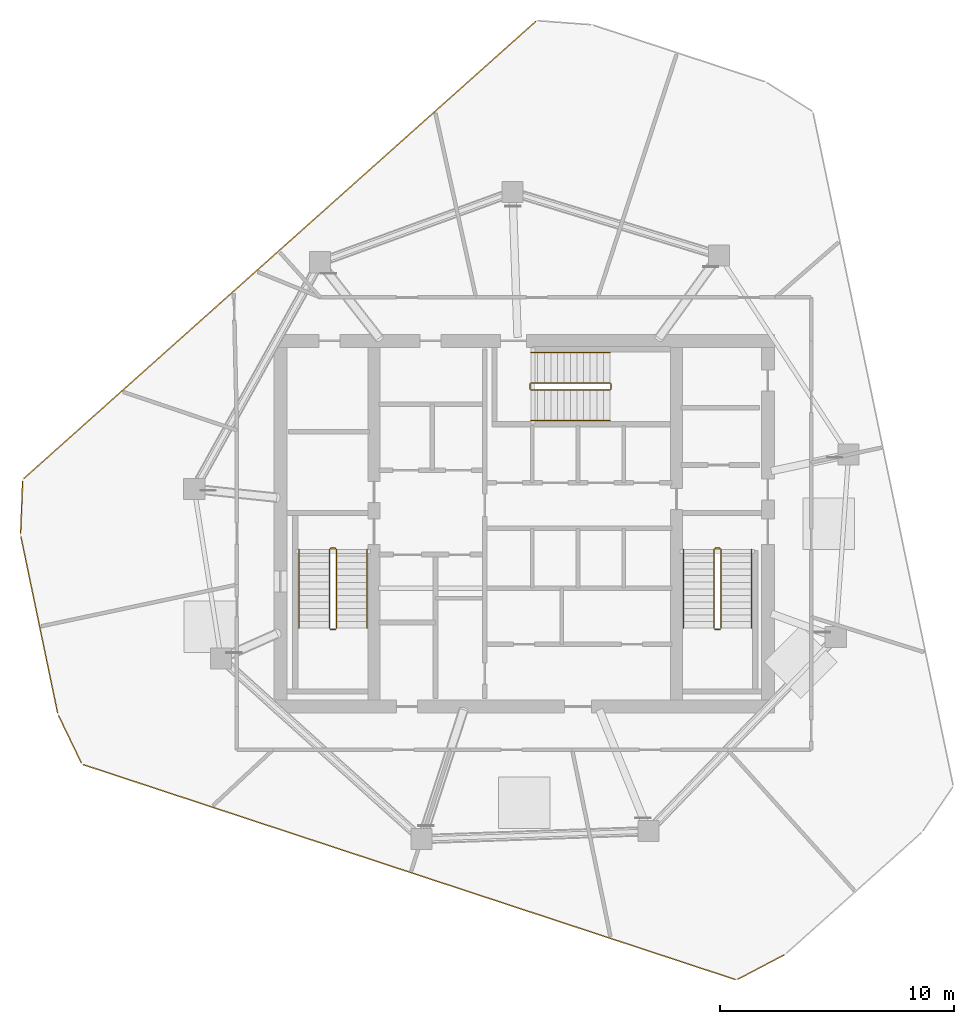
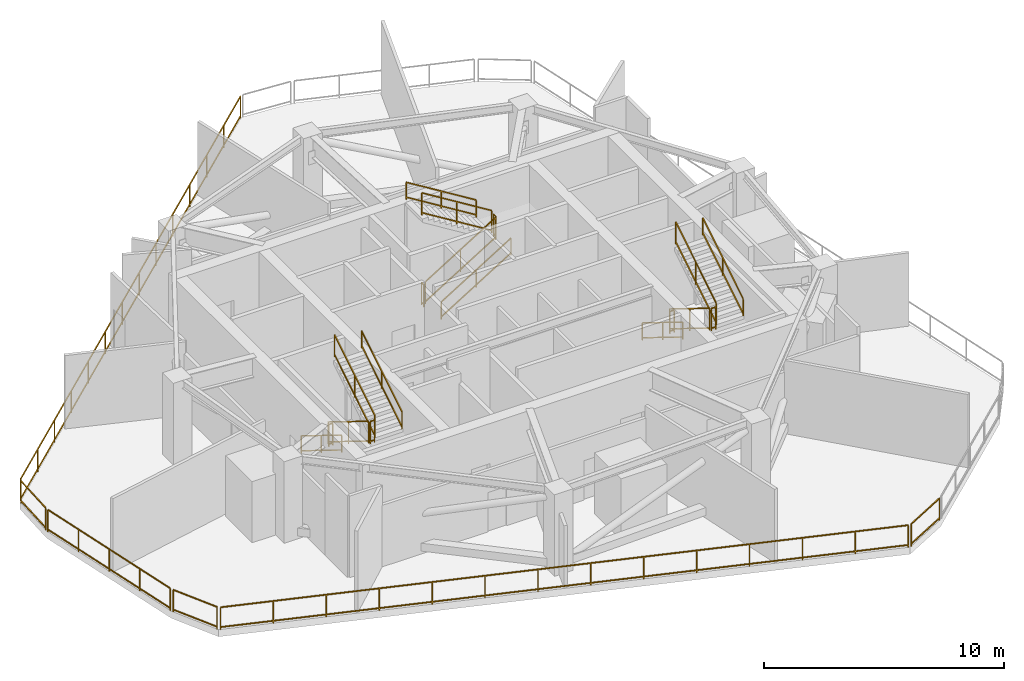
# One storey, part 5 of 6: 24 railings.
"""IFC4 building model written with IfcOpenShell, lengths in metres."""

from ifc_helpers import new_model, si_unit, direction, frame, origin, origin_2d, place, context, subcontext, project, spatial, rectangle, extrude, material, type_object, element, save


model = new_model("IFC4")

# Units and contexts
model_context = context("Model", 3, precision=1e-05, world=origin(), true_north=direction((0.0, 1.0)))
body_context = subcontext(model_context, "Body", "Model", "MODEL_VIEW")
ifc_project = project(units=[si_unit("LENGTHUNIT", "METRE"), si_unit("AREAUNIT", "SQUARE_METRE"), si_unit("VOLUMEUNIT", "CUBIC_METRE"), si_unit("PLANEANGLEUNIT", "RADIAN"), si_unit("MASSUNIT", "GRAM", prefix="KILO")], contexts=[model_context])

# Site, building, storey
site_placement = place(None, origin())
site = spatial("IfcSite", under=ifc_project, at=site_placement, CompositionType="ELEMENT")
building_placement = place(site_placement, origin())
building = spatial("IfcBuilding", under=site, at=building_placement, Name="Qarnah Convention Tower", CompositionType="ELEMENT")
storey_placement = place(building_placement, frame((0.0, 0.0, 223.800048828125)))
storey = spatial("IfcBuildingStorey", under=building, at=storey_placement, Name="L60", CompositionType="ELEMENT", Elevation=223.800048828125)

# Railings
ifc_material_1 = material(Name="Black anodised aluminium", Category="aluminium")
railing_type_1 = type_object("IfcRailingType", Name="RL-EXT-GUARD-1150", PredefinedType="GUARDRAIL", material=ifc_material_1)
railing_1_placement = place(storey_placement, frame((48.291015625, 7.998046875, 0.0)))
element("IfcRailing", 1, at=railing_1_placement, inside=storey, type_object=railing_type_1, Name="L60 open refuge and plant deck perimeter guard 06", PredefinedType="GUARDRAIL", context=body_context, shape_type="SweptSolid", body=[
    extrude(rectangle(XDim=0.048095703125, YDim=0.048095703125, at=origin_2d()), frame((0.0, 0.0, 1.1259765625), z_axis=(-0.884819983387, -0.46593303918, 0.0), x_axis=(0.46593303918, -0.884819983387, 0.0)), (0.0, 0.0, 1.0), 2.210693359375),
    extrude(rectangle(XDim=0.048095703125, YDim=0.048095703125, at=origin_2d()), frame((0.0, 0.0, 0.1201171875), z_axis=(-0.884819983387, -0.46593303918, 0.0), x_axis=(0.46593303918, -0.884819983387, 0.0)), (0.0, 0.0, 1.0), 2.210693359375),
    extrude(rectangle(XDim=0.0419921875, YDim=0.0419921875, at=origin_2d()), origin(), (0.0, 0.0, 1.0), 1.101806640625),
    extrude(rectangle(XDim=0.0419921875, YDim=0.0419921875, at=origin_2d()), frame((-1.9560546875, -1.030029296875, 0.0)), (0.0, 0.0, 1.0), 1.101806640625),
])
railing_2_placement = place(storey_placement, frame((46.18798828125, 6.9560546875, 0.0)))
element("IfcRailing", 2, at=railing_2_placement, inside=storey, type_object=railing_type_1, Name="L60 open refuge and plant deck perimeter guard 07", PredefinedType="GUARDRAIL", context=body_context, shape_type="SweptSolid", body=[
    extrude(rectangle(XDim=0.048095703125, YDim=0.048095703125, at=origin_2d()), frame((0.0, 0.0, 1.1259765625), z_axis=(-0.949759692989, 0.312980072167, 0.0), x_axis=(-0.312980072167, -0.949759692989, 0.0)), (0.0, 0.0, 1.0), 29.244140625),
    extrude(rectangle(XDim=0.048095703125, YDim=0.048095703125, at=origin_2d()), frame((0.0, 0.0, 0.1201171875), z_axis=(-0.949759692989, 0.312980072167, 0.0), x_axis=(-0.312980072167, -0.949759692989, 0.0)), (0.0, 0.0, 1.0), 29.244140625),
    extrude(rectangle(XDim=0.0419921875, YDim=0.0419921875, at=origin_2d()), origin(), (0.0, 0.0, 1.0), 1.101806640625),
    extrude(rectangle(XDim=0.0419921875, YDim=0.0419921875, at=origin_2d()), frame((-2.136474609375, 0.7041015625, 0.0)), (0.0, 0.0, 1.0), 1.101806640625),
    extrude(rectangle(XDim=0.0419921875, YDim=0.0419921875, at=origin_2d()), frame((-4.27294921875, 1.408203125, 0.0)), (0.0, 0.0, 1.0), 1.101806640625),
    extrude(rectangle(XDim=0.0419921875, YDim=0.0419921875, at=origin_2d()), frame((-6.40966796875, 2.1123046875, 0.0)), (0.0, 0.0, 1.0), 1.101806640625),
    extrude(rectangle(XDim=0.0419921875, YDim=0.0419921875, at=origin_2d()), frame((-8.546142578125, 2.816162109375, 0.0)), (0.0, 0.0, 1.0), 1.101806640625),
    extrude(rectangle(XDim=0.0419921875, YDim=0.0419921875, at=origin_2d()), frame((-10.6826171875, 3.520263671875, 0.0)), (0.0, 0.0, 1.0), 1.101806640625),
    extrude(rectangle(XDim=0.0419921875, YDim=0.0419921875, at=origin_2d()), frame((-12.819091796875, 4.224365234375, 0.0)), (0.0, 0.0, 1.0), 1.101806640625),
    extrude(rectangle(XDim=0.0419921875, YDim=0.0419921875, at=origin_2d()), frame((-14.955810546875, 4.928466796875, 0.0)), (0.0, 0.0, 1.0), 1.101806640625),
    extrude(rectangle(XDim=0.0419921875, YDim=0.0419921875, at=origin_2d()), frame((-17.09228515625, 5.632568359375, 0.0)), (0.0, 0.0, 1.0), 1.101806640625),
    extrude(rectangle(XDim=0.0419921875, YDim=0.0419921875, at=origin_2d()), frame((-19.228759765625, 6.336669921875, 0.0)), (0.0, 0.0, 1.0), 1.101806640625),
    extrude(rectangle(XDim=0.0419921875, YDim=0.0419921875, at=origin_2d()), frame((-21.365234375, 7.04052734375, 0.0)), (0.0, 0.0, 1.0), 1.101806640625),
    extrude(rectangle(XDim=0.0419921875, YDim=0.0419921875, at=origin_2d()), frame((-23.501953125, 7.74462890625, 0.0)), (0.0, 0.0, 1.0), 1.101806640625),
    extrude(rectangle(XDim=0.0419921875, YDim=0.0419921875, at=origin_2d()), frame((-25.638427734375, 8.44873046875, 0.0)), (0.0, 0.0, 1.0), 1.101806640625),
    extrude(rectangle(XDim=0.0419921875, YDim=0.0419921875, at=origin_2d()), frame((-27.77490234375, 9.15283203125, 0.0)), (0.0, 0.0, 1.0), 1.101806640625),
])
railing_3_placement = place(storey_placement, frame((18.302001953125, 16.2060546875, 0.0)))
element("IfcRailing", 3, at=railing_3_placement, inside=storey, type_object=railing_type_1, Name="L60 open refuge and plant deck perimeter guard 08", PredefinedType="GUARDRAIL", context=body_context, shape_type="SweptSolid", body=[
    extrude(rectangle(XDim=0.048095703125, YDim=0.048095703125, at=origin_2d()), frame((0.0, 0.0, 1.1259765625), z_axis=(-0.434495906954, 0.900673807124, 0.0), x_axis=(-0.900673807124, -0.434495906954, 0.0)), (0.0, 0.0, 1.0), 2.211669921875),
    extrude(rectangle(XDim=0.048095703125, YDim=0.048095703125, at=origin_2d()), frame((0.0, 0.0, 0.1201171875), z_axis=(-0.434495906954, 0.900673807124, 0.0), x_axis=(-0.900673807124, -0.434495906954, 0.0)), (0.0, 0.0, 1.0), 2.211669921875),
    extrude(rectangle(XDim=0.0419921875, YDim=0.0419921875, at=origin_2d()), origin(), (0.0, 0.0, 1.0), 1.101806640625),
    extrude(rectangle(XDim=0.0419921875, YDim=0.0419921875, at=origin_2d()), frame((-0.9609375, 1.991943359375, 0.0)), (0.0, 0.0, 1.0), 1.101806640625),
])
railing_4_placement = place(storey_placement, frame((17.2900390625, 18.347900390625, 0.0)))
element("IfcRailing", 4, at=railing_4_placement, inside=storey, type_object=railing_type_1, Name="L60 open refuge and plant deck perimeter guard 09", PredefinedType="GUARDRAIL", context=body_context, shape_type="SweptSolid", body=[
    extrude(rectangle(XDim=0.048095703125, YDim=0.048095703125, at=origin_2d()), frame((0.0, 0.0, 1.1259765625), z_axis=(-0.203787312729, 0.979015184341, 0.0), x_axis=(-0.979015184341, -0.203787312729, 0.0)), (0.0, 0.0, 1.0), 7.650634765625),
    extrude(rectangle(XDim=0.048095703125, YDim=0.048095703125, at=origin_2d()), frame((0.0, 0.0, 0.1201171875), z_axis=(-0.203787312729, 0.979015184341, 0.0), x_axis=(-0.979015184341, -0.203787312729, 0.0)), (0.0, 0.0, 1.0), 7.650634765625),
    extrude(rectangle(XDim=0.0419921875, YDim=0.0419921875, at=origin_2d()), origin(), (0.0, 0.0, 1.0), 1.101806640625),
    extrude(rectangle(XDim=0.0419921875, YDim=0.0419921875, at=origin_2d()), frame((-0.3896484375, 1.87255859375, 0.0)), (0.0, 0.0, 1.0), 1.101806640625),
    extrude(rectangle(XDim=0.0419921875, YDim=0.0419921875, at=origin_2d()), frame((-0.779541015625, 3.7451171875, 0.0)), (0.0, 0.0, 1.0), 1.101806640625),
    extrude(rectangle(XDim=0.0419921875, YDim=0.0419921875, at=origin_2d()), frame((-1.16943359375, 5.617431640625, 0.0)), (0.0, 0.0, 1.0), 1.101806640625),
    extrude(rectangle(XDim=0.0419921875, YDim=0.0419921875, at=origin_2d()), frame((-1.55908203125, 7.489990234375, 0.0)), (0.0, 0.0, 1.0), 1.101806640625),
])
railing_5_placement = place(storey_placement, frame((15.718017578125, 25.99609375, 0.0)))
element("IfcRailing", 5, at=railing_5_placement, inside=storey, type_object=railing_type_1, Name="L60 open refuge and plant deck perimeter guard 10", PredefinedType="GUARDRAIL", context=body_context, shape_type="SweptSolid", body=[
    extrude(rectangle(XDim=0.048095703125, YDim=0.048095703125, at=origin_2d()), frame((0.0, 0.0, 1.1259765625), z_axis=(0.038874218323, 0.999244111891, 0.0), x_axis=(-0.999244111891, 0.038874218323, 0.0)), (0.0, 0.0, 1.0), 2.210693359375),
    extrude(rectangle(XDim=0.048095703125, YDim=0.048095703125, at=origin_2d()), frame((0.0, 0.0, 0.1201171875), z_axis=(0.038874218323, 0.999244111891, 0.0), x_axis=(-0.999244111891, 0.038874218323, 0.0)), (0.0, 0.0, 1.0), 2.210693359375),
    extrude(rectangle(XDim=0.0419921875, YDim=0.0419921875, at=origin_2d()), origin(), (0.0, 0.0, 1.0), 1.101806640625),
    extrude(rectangle(XDim=0.0419921875, YDim=0.0419921875, at=origin_2d()), frame((0.0859375, 2.208984375, 0.0)), (0.0, 0.0, 1.0), 1.101806640625),
])
railing_6_placement = place(storey_placement, frame((15.866943359375, 28.337890625, 0.0)))
element("IfcRailing", 6, at=railing_6_placement, inside=storey, type_object=railing_type_1, Name="L60 open refuge and plant deck perimeter guard 11", PredefinedType="GUARDRAIL", context=body_context, shape_type="SweptSolid", body=[
    extrude(rectangle(XDim=0.048095703125, YDim=0.048095703125, at=origin_2d()), frame((0.0, 0.0, 1.1259765625), z_axis=(0.74591603518, 0.666039990137, 0.0), x_axis=(-0.666039990137, 0.74591603518, 0.0)), (0.0, 0.0, 1.0), 29.24462890625),
    extrude(rectangle(XDim=0.048095703125, YDim=0.048095703125, at=origin_2d()), frame((0.0, 0.0, 0.1201171875), z_axis=(0.74591603518, 0.666039990137, 0.0), x_axis=(-0.666039990137, 0.74591603518, 0.0)), (0.0, 0.0, 1.0), 29.24462890625),
    extrude(rectangle(XDim=0.0419921875, YDim=0.0419921875, at=origin_2d()), origin(), (0.0, 0.0, 1.0), 1.101806640625),
    extrude(rectangle(XDim=0.0419921875, YDim=0.0419921875, at=origin_2d()), frame((1.677978515625, 1.498291015625, 0.0)), (0.0, 0.0, 1.0), 1.101806640625),
    extrude(rectangle(XDim=0.0419921875, YDim=0.0419921875, at=origin_2d()), frame((3.35595703125, 2.99658203125, 0.0)), (0.0, 0.0, 1.0), 1.101806640625),
    extrude(rectangle(XDim=0.0419921875, YDim=0.0419921875, at=origin_2d()), frame((5.033935546875, 4.494873046875, 0.0)), (0.0, 0.0, 1.0), 1.101806640625),
    extrude(rectangle(XDim=0.0419921875, YDim=0.0419921875, at=origin_2d()), frame((6.7119140625, 5.9931640625, 0.0)), (0.0, 0.0, 1.0), 1.101806640625),
    extrude(rectangle(XDim=0.0419921875, YDim=0.0419921875, at=origin_2d()), frame((8.389892578125, 7.491455078125, 0.0)), (0.0, 0.0, 1.0), 1.101806640625),
    extrude(rectangle(XDim=0.0419921875, YDim=0.0419921875, at=origin_2d()), frame((10.06787109375, 8.98974609375, 0.0)), (0.0, 0.0, 1.0), 1.101806640625),
    extrude(rectangle(XDim=0.0419921875, YDim=0.0419921875, at=origin_2d()), frame((11.74609375, 10.48828125, 0.0)), (0.0, 0.0, 1.0), 1.101806640625),
    extrude(rectangle(XDim=0.0419921875, YDim=0.0419921875, at=origin_2d()), frame((13.424072265625, 11.986572265625, 0.0)), (0.0, 0.0, 1.0), 1.101806640625),
    extrude(rectangle(XDim=0.0419921875, YDim=0.0419921875, at=origin_2d()), frame((15.10205078125, 13.48486328125, 0.0)), (0.0, 0.0, 1.0), 1.101806640625),
    extrude(rectangle(XDim=0.0419921875, YDim=0.0419921875, at=origin_2d()), frame((16.780029296875, 14.983154296875, 0.0)), (0.0, 0.0, 1.0), 1.101806640625),
    extrude(rectangle(XDim=0.0419921875, YDim=0.0419921875, at=origin_2d()), frame((18.4580078125, 16.4814453125, 0.0)), (0.0, 0.0, 1.0), 1.101806640625),
    extrude(rectangle(XDim=0.0419921875, YDim=0.0419921875, at=origin_2d()), frame((20.135986328125, 17.979736328125, 0.0)), (0.0, 0.0, 1.0), 1.101806640625),
    extrude(rectangle(XDim=0.0419921875, YDim=0.0419921875, at=origin_2d()), frame((21.81396484375, 19.47802734375, 0.0)), (0.0, 0.0, 1.0), 1.101806640625),
])
ifc_material_2 = material(Name="Structural steel S355JR", Category="steel")
railing_type_2 = type_object("IfcRailingType", Name="RL-STAIR-GUARD-1150", PredefinedType="GUARDRAIL", material=ifc_material_2)
railing_7_placement = place(storey_placement, frame((28.89990234375, 25.300048828125, 0.173095703125)))
element("IfcRailing", 7, at=railing_7_placement, inside=storey, type_object=railing_type_2, Name="L60 ST-1 stair guard 1", PredefinedType="GUARDRAIL", context=body_context, shape_type="SweptSolid", body=[
    extrude(rectangle(XDim=0.048095703125, YDim=0.048095703125, at=origin_2d()), frame((0.0, 0.0, 1.1259765625), z_axis=(0.0, -0.850623216509, 0.525775754039), x_axis=(1.0, 0.0, 0.0)), (0.0, 0.0, 1.0), 3.9501953125),
    extrude(rectangle(XDim=0.048095703125, YDim=0.048095703125, at=origin_2d()), frame((0.0, 0.0, 0.1201171875), z_axis=(0.0, -0.850623216509, 0.525775754039), x_axis=(1.0, 0.0, 0.0)), (0.0, 0.0, 1.0), 3.9501953125),
    extrude(rectangle(XDim=0.0419921875, YDim=0.0419921875, at=origin_2d()), origin(), (0.0, 0.0, 1.0), 1.101806640625),
    extrude(rectangle(XDim=0.0419921875, YDim=0.0419921875, at=origin_2d()), frame((0.0, -1.68017578125, 1.03857421875)), (0.0, 0.0, 1.0), 1.101806640625),
    extrude(rectangle(XDim=0.0419921875, YDim=0.0419921875, at=origin_2d()), frame((0.0, -3.360107421875, 2.076904296875)), (0.0, 0.0, 1.0), 1.101806640625),
])
railing_8_placement = place(storey_placement, frame((28.949951171875, 21.889892578125, 2.25)))
element("IfcRailing", 8, at=railing_8_placement, inside=storey, type_object=railing_type_2, Name="L60 ST-1 stair guard 2", PredefinedType="GUARDRAIL", context=body_context, shape_type="SweptSolid", body=[
    extrude(rectangle(XDim=0.048095703125, YDim=0.048095703125, at=origin_2d()), frame((0.0, 0.0, 1.1259765625), z_axis=(1.0, 0.0, 0.0), x_axis=(0.0, 1.0, 0.0)), (0.0, 0.0, 1.0), 0.199951171875),
    extrude(rectangle(XDim=0.048095703125, YDim=0.048095703125, at=origin_2d()), frame((0.0, 0.0, 0.1201171875), z_axis=(1.0, 0.0, 0.0), x_axis=(0.0, 1.0, 0.0)), (0.0, 0.0, 1.0), 0.199951171875),
    extrude(rectangle(XDim=0.0419921875, YDim=0.0419921875, at=origin_2d()), origin(), (0.0, 0.0, 1.0), 1.101806640625),
    extrude(rectangle(XDim=0.0419921875, YDim=0.0419921875, at=origin_2d()), frame((0.199951171875, 0.0, 0.0)), (0.0, 0.0, 1.0), 1.101806640625),
])
railing_9_placement = place(storey_placement, frame((29.199951171875, 21.93994140625, 2.423095703125)))
element("IfcRailing", 9, at=railing_9_placement, inside=storey, type_object=railing_type_2, Name="L60 ST-1 stair guard 3", PredefinedType="GUARDRAIL", context=body_context, shape_type="SweptSolid", body=[
    extrude(rectangle(XDim=0.048095703125, YDim=0.048095703125, at=origin_2d()), frame((0.0, 0.0, 1.1259765625), z_axis=(0.0, 0.850623216509, 0.525775754039), x_axis=(-1.0, 0.0, 0.0)), (0.0, 0.0, 1.0), 3.9501953125),
    extrude(rectangle(XDim=0.048095703125, YDim=0.048095703125, at=origin_2d()), frame((0.0, 0.0, 0.1201171875), z_axis=(0.0, 0.850623216509, 0.525775754039), x_axis=(-1.0, 0.0, 0.0)), (0.0, 0.0, 1.0), 3.9501953125),
    extrude(rectangle(XDim=0.0419921875, YDim=0.0419921875, at=origin_2d()), origin(), (0.0, 0.0, 1.0), 1.101806640625),
    extrude(rectangle(XDim=0.0419921875, YDim=0.0419921875, at=origin_2d()), frame((0.0, 1.68017578125, 1.03857421875)), (0.0, 0.0, 1.0), 1.101806640625),
    extrude(rectangle(XDim=0.0419921875, YDim=0.0419921875, at=origin_2d()), frame((0.0, 3.360107421875, 2.076904296875)), (0.0, 0.0, 1.0), 1.101806640625),
])
railing_10_placement = place(storey_placement, frame((28.949951171875, 25.35009765625, 0.0)))
element("IfcRailing", 10, at=railing_10_placement, inside=storey, type_object=railing_type_2, Name="L60 ST-1 stair guard 4", PredefinedType="GUARDRAIL", context=body_context, shape_type="SweptSolid", body=[
    extrude(rectangle(XDim=0.048095703125, YDim=0.048095703125, at=origin_2d()), frame((0.0, 0.0, 1.1259765625), z_axis=(1.0, 0.0, 0.0), x_axis=(0.0, 1.0, 0.0)), (0.0, 0.0, 1.0), 0.199951171875),
    extrude(rectangle(XDim=0.048095703125, YDim=0.048095703125, at=origin_2d()), frame((0.0, 0.0, 0.1201171875), z_axis=(1.0, 0.0, 0.0), x_axis=(0.0, 1.0, 0.0)), (0.0, 0.0, 1.0), 0.199951171875),
    extrude(rectangle(XDim=0.0419921875, YDim=0.0419921875, at=origin_2d()), origin(), (0.0, 0.0, 1.0), 1.101806640625),
    extrude(rectangle(XDim=0.0419921875, YDim=0.0419921875, at=origin_2d()), frame((0.199951171875, 0.0, 0.0)), (0.0, 0.0, 1.0), 1.101806640625),
])
railing_11_placement = place(storey_placement, frame((45.300048828125, 25.300048828125, 0.173095703125)))
element("IfcRailing", 11, at=railing_11_placement, inside=storey, type_object=railing_type_2, Name="L60 ST-2 stair guard 1", PredefinedType="GUARDRAIL", context=body_context, shape_type="SweptSolid", body=[
    extrude(rectangle(XDim=0.048095703125, YDim=0.048095703125, at=origin_2d()), frame((0.0, 0.0, 1.1259765625), z_axis=(0.0, -0.850623216509, 0.525775754039), x_axis=(1.0, 0.0, 0.0)), (0.0, 0.0, 1.0), 3.9501953125),
    extrude(rectangle(XDim=0.048095703125, YDim=0.048095703125, at=origin_2d()), frame((0.0, 0.0, 0.1201171875), z_axis=(0.0, -0.850623216509, 0.525775754039), x_axis=(1.0, 0.0, 0.0)), (0.0, 0.0, 1.0), 3.9501953125),
    extrude(rectangle(XDim=0.0419921875, YDim=0.0419921875, at=origin_2d()), origin(), (0.0, 0.0, 1.0), 1.101806640625),
    extrude(rectangle(XDim=0.0419921875, YDim=0.0419921875, at=origin_2d()), frame((0.0, -1.68017578125, 1.03857421875)), (0.0, 0.0, 1.0), 1.101806640625),
    extrude(rectangle(XDim=0.0419921875, YDim=0.0419921875, at=origin_2d()), frame((0.0, -3.360107421875, 2.076904296875)), (0.0, 0.0, 1.0), 1.101806640625),
])
railing_12_placement = place(storey_placement, frame((45.35009765625, 21.889892578125, 2.25)))
element("IfcRailing", 12, at=railing_12_placement, inside=storey, type_object=railing_type_2, Name="L60 ST-2 stair guard 2", PredefinedType="GUARDRAIL", context=body_context, shape_type="SweptSolid", body=[
    extrude(rectangle(XDim=0.048095703125, YDim=0.048095703125, at=origin_2d()), frame((0.0, 0.0, 1.1259765625), z_axis=(1.0, 0.0, 0.0), x_axis=(0.0, 1.0, 0.0)), (0.0, 0.0, 1.0), 0.199951171875),
    extrude(rectangle(XDim=0.048095703125, YDim=0.048095703125, at=origin_2d()), frame((0.0, 0.0, 0.1201171875), z_axis=(1.0, 0.0, 0.0), x_axis=(0.0, 1.0, 0.0)), (0.0, 0.0, 1.0), 0.199951171875),
    extrude(rectangle(XDim=0.0419921875, YDim=0.0419921875, at=origin_2d()), origin(), (0.0, 0.0, 1.0), 1.101806640625),
    extrude(rectangle(XDim=0.0419921875, YDim=0.0419921875, at=origin_2d()), frame((0.199951171875, 0.0, 0.0)), (0.0, 0.0, 1.0), 1.101806640625),
])
railing_13_placement = place(storey_placement, frame((45.60009765625, 21.93994140625, 2.423095703125)))
element("IfcRailing", 13, at=railing_13_placement, inside=storey, type_object=railing_type_2, Name="L60 ST-2 stair guard 3", PredefinedType="GUARDRAIL", context=body_context, shape_type="SweptSolid", body=[
    extrude(rectangle(XDim=0.048095703125, YDim=0.048095703125, at=origin_2d()), frame((0.0, 0.0, 1.1259765625), z_axis=(0.0, 0.850623216509, 0.525775754039), x_axis=(-1.0, 0.0, 0.0)), (0.0, 0.0, 1.0), 3.9501953125),
    extrude(rectangle(XDim=0.048095703125, YDim=0.048095703125, at=origin_2d()), frame((0.0, 0.0, 0.1201171875), z_axis=(0.0, 0.850623216509, 0.525775754039), x_axis=(-1.0, 0.0, 0.0)), (0.0, 0.0, 1.0), 3.9501953125),
    extrude(rectangle(XDim=0.0419921875, YDim=0.0419921875, at=origin_2d()), origin(), (0.0, 0.0, 1.0), 1.101806640625),
    extrude(rectangle(XDim=0.0419921875, YDim=0.0419921875, at=origin_2d()), frame((0.0, 1.68017578125, 1.03857421875)), (0.0, 0.0, 1.0), 1.101806640625),
    extrude(rectangle(XDim=0.0419921875, YDim=0.0419921875, at=origin_2d()), frame((0.0, 3.360107421875, 2.076904296875)), (0.0, 0.0, 1.0), 1.101806640625),
])
railing_14_placement = place(storey_placement, frame((45.35009765625, 25.35009765625, 0.0)))
element("IfcRailing", 14, at=railing_14_placement, inside=storey, type_object=railing_type_2, Name="L60 ST-2 stair guard 4", PredefinedType="GUARDRAIL", context=body_context, shape_type="SweptSolid", body=[
    extrude(rectangle(XDim=0.048095703125, YDim=0.048095703125, at=origin_2d()), frame((0.0, 0.0, 1.1259765625), z_axis=(1.0, 0.0, 0.0), x_axis=(0.0, 1.0, 0.0)), (0.0, 0.0, 1.0), 0.199951171875),
    extrude(rectangle(XDim=0.048095703125, YDim=0.048095703125, at=origin_2d()), frame((0.0, 0.0, 0.1201171875), z_axis=(1.0, 0.0, 0.0), x_axis=(0.0, 1.0, 0.0)), (0.0, 0.0, 1.0), 0.199951171875),
    extrude(rectangle(XDim=0.0419921875, YDim=0.0419921875, at=origin_2d()), origin(), (0.0, 0.0, 1.0), 1.101806640625),
    extrude(rectangle(XDim=0.0419921875, YDim=0.0419921875, at=origin_2d()), frame((0.199951171875, 0.0, 0.0)), (0.0, 0.0, 1.0), 1.101806640625),
])
railing_15_placement = place(storey_placement, frame((37.5, 32.10009765625, 0.173095703125)))
element("IfcRailing", 15, at=railing_15_placement, inside=storey, type_object=railing_type_2, Name="L60 ST-3 stair guard 1", PredefinedType="GUARDRAIL", context=body_context, shape_type="SweptSolid", body=[
    extrude(rectangle(XDim=0.048095703125, YDim=0.048095703125, at=origin_2d()), frame((0.0, 0.0, 1.1259765625), z_axis=(0.850623216509, 0.0, 0.525775754039), x_axis=(0.0, 1.0, 0.0)), (0.0, 0.0, 1.0), 3.9501953125),
    extrude(rectangle(XDim=0.048095703125, YDim=0.048095703125, at=origin_2d()), frame((0.0, 0.0, 0.1201171875), z_axis=(0.850623216509, 0.0, 0.525775754039), x_axis=(0.0, 1.0, 0.0)), (0.0, 0.0, 1.0), 3.9501953125),
    extrude(rectangle(XDim=0.0419921875, YDim=0.0419921875, at=origin_2d()), origin(), (0.0, 0.0, 1.0), 1.101806640625),
    extrude(rectangle(XDim=0.0419921875, YDim=0.0419921875, at=origin_2d()), frame((1.68017578125, 0.0, 1.03857421875)), (0.0, 0.0, 1.0), 1.101806640625),
    extrude(rectangle(XDim=0.0419921875, YDim=0.0419921875, at=origin_2d()), frame((3.360107421875, 0.0, 2.076904296875)), (0.0, 0.0, 1.0), 1.101806640625),
])
railing_16_placement = place(storey_placement, frame((40.909912109375, 32.14990234375, 2.25)))
element("IfcRailing", 16, at=railing_16_placement, inside=storey, type_object=railing_type_2, Name="L60 ST-3 stair guard 2", PredefinedType="GUARDRAIL", context=body_context, shape_type="SweptSolid", body=[
    extrude(rectangle(XDim=0.048095703125, YDim=0.048095703125, at=origin_2d()), frame((0.0, 0.0, 1.1259765625), z_axis=(0.0, 1.0, 0.0), x_axis=(-1.0, 0.0, 0.0)), (0.0, 0.0, 1.0), 0.2001953125),
    extrude(rectangle(XDim=0.048095703125, YDim=0.048095703125, at=origin_2d()), frame((0.0, 0.0, 0.1201171875), z_axis=(0.0, 1.0, 0.0), x_axis=(-1.0, 0.0, 0.0)), (0.0, 0.0, 1.0), 0.2001953125),
    extrude(rectangle(XDim=0.0419921875, YDim=0.0419921875, at=origin_2d()), origin(), (0.0, 0.0, 1.0), 1.101806640625),
    extrude(rectangle(XDim=0.0419921875, YDim=0.0419921875, at=origin_2d()), frame((0.0, 0.2001953125, 0.0)), (0.0, 0.0, 1.0), 1.101806640625),
])
railing_17_placement = place(storey_placement, frame((40.860107421875, 32.39990234375, 2.423095703125)))
element("IfcRailing", 17, at=railing_17_placement, inside=storey, type_object=railing_type_2, Name="L60 ST-3 stair guard 3", PredefinedType="GUARDRAIL", context=body_context, shape_type="SweptSolid", body=[
    extrude(rectangle(XDim=0.048095703125, YDim=0.048095703125, at=origin_2d()), frame((0.0, 0.0, 1.1259765625), z_axis=(-0.850623216509, 0.0, 0.525775754039), x_axis=(0.0, -1.0, 0.0)), (0.0, 0.0, 1.0), 3.9501953125),
    extrude(rectangle(XDim=0.048095703125, YDim=0.048095703125, at=origin_2d()), frame((0.0, 0.0, 0.1201171875), z_axis=(-0.850623216509, 0.0, 0.525775754039), x_axis=(0.0, -1.0, 0.0)), (0.0, 0.0, 1.0), 3.9501953125),
    extrude(rectangle(XDim=0.0419921875, YDim=0.0419921875, at=origin_2d()), origin(), (0.0, 0.0, 1.0), 1.101806640625),
    extrude(rectangle(XDim=0.0419921875, YDim=0.0419921875, at=origin_2d()), frame((-1.68017578125, 0.0, 1.03857421875)), (0.0, 0.0, 1.0), 1.101806640625),
    extrude(rectangle(XDim=0.0419921875, YDim=0.0419921875, at=origin_2d()), frame((-3.360107421875, 0.0, 2.076904296875)), (0.0, 0.0, 1.0), 1.101806640625),
])
railing_18_placement = place(storey_placement, frame((37.449951171875, 32.14990234375, 0.0)))
element("IfcRailing", 18, at=railing_18_placement, inside=storey, type_object=railing_type_2, Name="L60 ST-3 stair guard 4", PredefinedType="GUARDRAIL", context=body_context, shape_type="SweptSolid", body=[
    extrude(rectangle(XDim=0.048095703125, YDim=0.048095703125, at=origin_2d()), frame((0.0, 0.0, 1.1259765625), z_axis=(0.0, 1.0, 0.0), x_axis=(-1.0, 0.0, 0.0)), (0.0, 0.0, 1.0), 0.2001953125),
    extrude(rectangle(XDim=0.048095703125, YDim=0.048095703125, at=origin_2d()), frame((0.0, 0.0, 0.1201171875), z_axis=(0.0, 1.0, 0.0), x_axis=(-1.0, 0.0, 0.0)), (0.0, 0.0, 1.0), 0.2001953125),
    extrude(rectangle(XDim=0.0419921875, YDim=0.0419921875, at=origin_2d()), origin(), (0.0, 0.0, 1.0), 1.101806640625),
    extrude(rectangle(XDim=0.0419921875, YDim=0.0419921875, at=origin_2d()), frame((0.0, 0.2001953125, 0.0)), (0.0, 0.0, 1.0), 1.101806640625),
])
railing_type_3 = type_object("IfcRailingType", Name="RL-STAIR-HAND-900", PredefinedType="HANDRAIL", material=ifc_material_2)
railing_19_placement = place(storey_placement, frame((27.60009765625, 25.300048828125, 0.173095703125)))
element("IfcRailing", 19, at=railing_19_placement, inside=storey, type_object=railing_type_3, Name="L60 ST-1 stair handrail 1", PredefinedType="HANDRAIL", context=body_context, shape_type="SweptSolid", body=[
    extrude(rectangle(XDim=0.048095703125, YDim=0.048095703125, at=origin_2d()), frame((0.0, 0.0, 0.8759765625), z_axis=(0.0, -0.850623216509, 0.525775754039), x_axis=(1.0, 0.0, 0.0)), (0.0, 0.0, 1.0), 3.9501953125),
    extrude(rectangle(XDim=0.048095703125, YDim=0.048095703125, at=origin_2d()), frame((0.0, 0.0, 0.1201171875), z_axis=(0.0, -0.850623216509, 0.525775754039), x_axis=(1.0, 0.0, 0.0)), (0.0, 0.0, 1.0), 3.9501953125),
    extrude(rectangle(XDim=0.0419921875, YDim=0.0419921875, at=origin_2d()), origin(), (0.0, 0.0, 1.0), 0.851806640625),
    extrude(rectangle(XDim=0.0419921875, YDim=0.0419921875, at=origin_2d()), frame((0.0, -1.68017578125, 1.03857421875)), (0.0, 0.0, 1.0), 0.851806640625),
    extrude(rectangle(XDim=0.0419921875, YDim=0.0419921875, at=origin_2d()), frame((0.0, -3.360107421875, 2.076904296875)), (0.0, 0.0, 1.0), 0.851806640625),
])
railing_20_placement = place(storey_placement, frame((30.5, 21.93994140625, 2.423095703125)))
element("IfcRailing", 20, at=railing_20_placement, inside=storey, type_object=railing_type_3, Name="L60 ST-1 stair handrail 2", PredefinedType="HANDRAIL", context=body_context, shape_type="SweptSolid", body=[
    extrude(rectangle(XDim=0.048095703125, YDim=0.048095703125, at=origin_2d()), frame((0.0, 0.0, 0.8759765625), z_axis=(0.0, 0.850623216509, 0.525775754039), x_axis=(-1.0, 0.0, 0.0)), (0.0, 0.0, 1.0), 3.9501953125),
    extrude(rectangle(XDim=0.048095703125, YDim=0.048095703125, at=origin_2d()), frame((0.0, 0.0, 0.1201171875), z_axis=(0.0, 0.850623216509, 0.525775754039), x_axis=(-1.0, 0.0, 0.0)), (0.0, 0.0, 1.0), 3.9501953125),
    extrude(rectangle(XDim=0.0419921875, YDim=0.0419921875, at=origin_2d()), origin(), (0.0, 0.0, 1.0), 0.851806640625),
    extrude(rectangle(XDim=0.0419921875, YDim=0.0419921875, at=origin_2d()), frame((0.0, 1.68017578125, 1.03857421875)), (0.0, 0.0, 1.0), 0.851806640625),
    extrude(rectangle(XDim=0.0419921875, YDim=0.0419921875, at=origin_2d()), frame((0.0, 3.360107421875, 2.076904296875)), (0.0, 0.0, 1.0), 0.851806640625),
])
railing_21_placement = place(storey_placement, frame((44.0, 25.300048828125, 0.173095703125)))
element("IfcRailing", 21, at=railing_21_placement, inside=storey, type_object=railing_type_3, Name="L60 ST-2 stair handrail 1", PredefinedType="HANDRAIL", context=body_context, shape_type="SweptSolid", body=[
    extrude(rectangle(XDim=0.048095703125, YDim=0.048095703125, at=origin_2d()), frame((0.0, 0.0, 0.8759765625), z_axis=(0.0, -0.850623216509, 0.525775754039), x_axis=(1.0, 0.0, 0.0)), (0.0, 0.0, 1.0), 3.9501953125),
    extrude(rectangle(XDim=0.048095703125, YDim=0.048095703125, at=origin_2d()), frame((0.0, 0.0, 0.1201171875), z_axis=(0.0, -0.850623216509, 0.525775754039), x_axis=(1.0, 0.0, 0.0)), (0.0, 0.0, 1.0), 3.9501953125),
    extrude(rectangle(XDim=0.0419921875, YDim=0.0419921875, at=origin_2d()), origin(), (0.0, 0.0, 1.0), 0.851806640625),
    extrude(rectangle(XDim=0.0419921875, YDim=0.0419921875, at=origin_2d()), frame((0.0, -1.68017578125, 1.03857421875)), (0.0, 0.0, 1.0), 0.851806640625),
    extrude(rectangle(XDim=0.0419921875, YDim=0.0419921875, at=origin_2d()), frame((0.0, -3.360107421875, 2.076904296875)), (0.0, 0.0, 1.0), 0.851806640625),
])
railing_22_placement = place(storey_placement, frame((46.89990234375, 21.93994140625, 2.423095703125)))
element("IfcRailing", 22, at=railing_22_placement, inside=storey, type_object=railing_type_3, Name="L60 ST-2 stair handrail 2", PredefinedType="HANDRAIL", context=body_context, shape_type="SweptSolid", body=[
    extrude(rectangle(XDim=0.048095703125, YDim=0.048095703125, at=origin_2d()), frame((0.0, 0.0, 0.8759765625), z_axis=(0.0, 0.850623216509, 0.525775754039), x_axis=(-1.0, 0.0, 0.0)), (0.0, 0.0, 1.0), 3.9501953125),
    extrude(rectangle(XDim=0.048095703125, YDim=0.048095703125, at=origin_2d()), frame((0.0, 0.0, 0.1201171875), z_axis=(0.0, 0.850623216509, 0.525775754039), x_axis=(-1.0, 0.0, 0.0)), (0.0, 0.0, 1.0), 3.9501953125),
    extrude(rectangle(XDim=0.0419921875, YDim=0.0419921875, at=origin_2d()), origin(), (0.0, 0.0, 1.0), 0.851806640625),
    extrude(rectangle(XDim=0.0419921875, YDim=0.0419921875, at=origin_2d()), frame((0.0, 1.68017578125, 1.03857421875)), (0.0, 0.0, 1.0), 0.851806640625),
    extrude(rectangle(XDim=0.0419921875, YDim=0.0419921875, at=origin_2d()), frame((0.0, 3.360107421875, 2.076904296875)), (0.0, 0.0, 1.0), 0.851806640625),
])
railing_23_placement = place(storey_placement, frame((37.5, 30.800048828125, 0.173095703125)))
element("IfcRailing", 23, at=railing_23_placement, inside=storey, type_object=railing_type_3, Name="L60 ST-3 stair handrail 1", PredefinedType="HANDRAIL", context=body_context, shape_type="SweptSolid", body=[
    extrude(rectangle(XDim=0.048095703125, YDim=0.048095703125, at=origin_2d()), frame((0.0, 0.0, 0.8759765625), z_axis=(0.850623216509, 0.0, 0.525775754039), x_axis=(0.0, 1.0, 0.0)), (0.0, 0.0, 1.0), 3.9501953125),
    extrude(rectangle(XDim=0.048095703125, YDim=0.048095703125, at=origin_2d()), frame((0.0, 0.0, 0.1201171875), z_axis=(0.850623216509, 0.0, 0.525775754039), x_axis=(0.0, 1.0, 0.0)), (0.0, 0.0, 1.0), 3.9501953125),
    extrude(rectangle(XDim=0.0419921875, YDim=0.0419921875, at=origin_2d()), origin(), (0.0, 0.0, 1.0), 0.851806640625),
    extrude(rectangle(XDim=0.0419921875, YDim=0.0419921875, at=origin_2d()), frame((1.68017578125, 0.0, 1.03857421875)), (0.0, 0.0, 1.0), 0.851806640625),
    extrude(rectangle(XDim=0.0419921875, YDim=0.0419921875, at=origin_2d()), frame((3.360107421875, 0.0, 2.076904296875)), (0.0, 0.0, 1.0), 0.851806640625),
])
railing_24_placement = place(storey_placement, frame((40.860107421875, 33.699951171875, 2.423095703125)))
element("IfcRailing", 24, at=railing_24_placement, inside=storey, type_object=railing_type_3, Name="L60 ST-3 stair handrail 2", PredefinedType="HANDRAIL", context=body_context, shape_type="SweptSolid", body=[
    extrude(rectangle(XDim=0.048095703125, YDim=0.048095703125, at=origin_2d()), frame((0.0, 0.0, 0.8759765625), z_axis=(-0.850623216509, 0.0, 0.525775754039), x_axis=(0.0, -1.0, 0.0)), (0.0, 0.0, 1.0), 3.9501953125),
    extrude(rectangle(XDim=0.048095703125, YDim=0.048095703125, at=origin_2d()), frame((0.0, 0.0, 0.1201171875), z_axis=(-0.850623216509, 0.0, 0.525775754039), x_axis=(0.0, -1.0, 0.0)), (0.0, 0.0, 1.0), 3.9501953125),
    extrude(rectangle(XDim=0.0419921875, YDim=0.0419921875, at=origin_2d()), origin(), (0.0, 0.0, 1.0), 0.851806640625),
    extrude(rectangle(XDim=0.0419921875, YDim=0.0419921875, at=origin_2d()), frame((-1.68017578125, 0.0, 1.03857421875)), (0.0, 0.0, 1.0), 0.851806640625),
    extrude(rectangle(XDim=0.0419921875, YDim=0.0419921875, at=origin_2d()), frame((-3.360107421875, 0.0, 2.076904296875)), (0.0, 0.0, 1.0), 0.851806640625),
])

save(model, "model.ifc")
